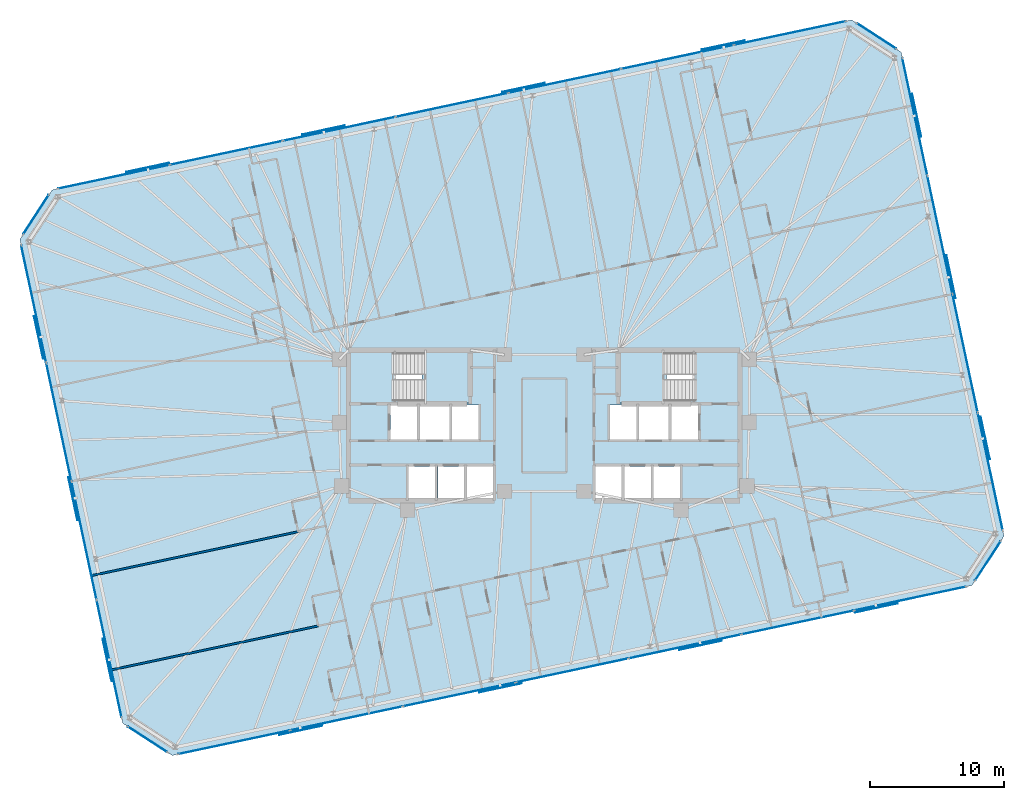
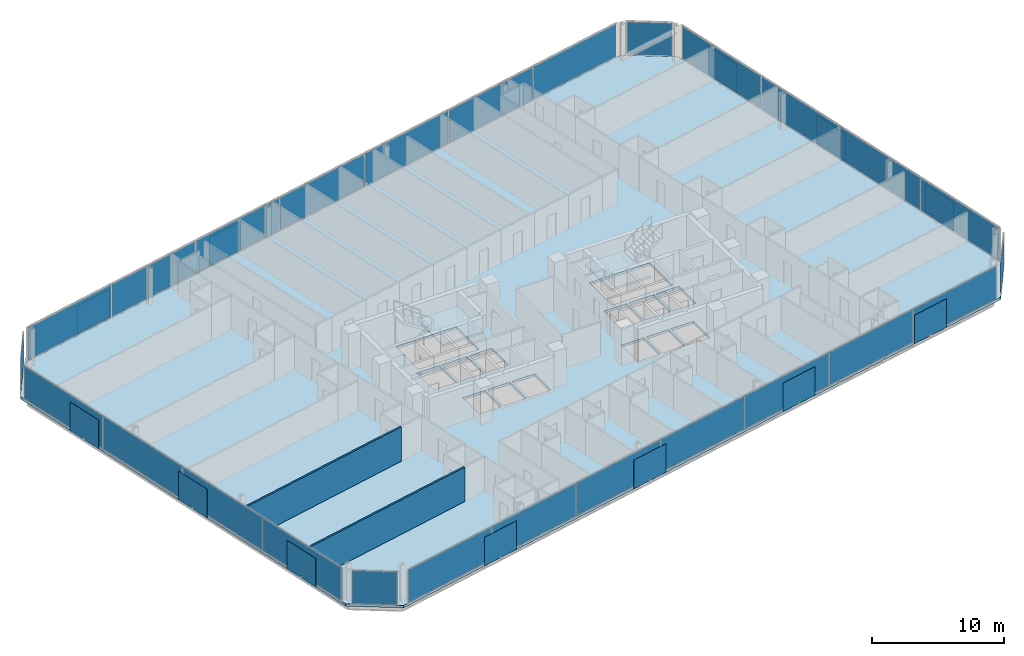
# One storey, part 13 of 21: 40 plates, 3 slabs, 2 walls, 10 elements without a shape of their own.
"""IFC4 building model written with IfcOpenShell, lengths in metres."""

from ifc_helpers import new_model, si_unit, direction, frame, frame_2d, origin, origin_2d, place, context, subcontext, project, spatial, polyline, rectangle, outline, extrude, material, layer, layer_set, type_object, element, aggregate, save


model = new_model("IFC4")

# Units and contexts
model_context = context("Model", 3, precision=1e-05, world=origin(), true_north=direction((0.0, 1.0)))
body_context = subcontext(model_context, "Body", "Model", "MODEL_VIEW")
ifc_project = project(units=[si_unit("LENGTHUNIT", "METRE"), si_unit("AREAUNIT", "SQUARE_METRE"), si_unit("VOLUMEUNIT", "CUBIC_METRE"), si_unit("PLANEANGLEUNIT", "RADIAN"), si_unit("MASSUNIT", "GRAM", prefix="KILO")], contexts=[model_context])

# Site, building, storey
site_placement = place(None, origin())
site = spatial("IfcSite", under=ifc_project, at=site_placement, CompositionType="ELEMENT")
building_placement = place(site_placement, origin())
building = spatial("IfcBuilding", under=site, at=building_placement, Name="Menara Jurai Vektor", CompositionType="ELEMENT")
storey_placement = place(building_placement, frame((0.0, 0.0, 168.39990234375)))
storey = spatial("IfcBuildingStorey", under=building, at=storey_placement, Name="L43", CompositionType="ELEMENT", Elevation=168.39990234375)

# Curtain wall, plates
ifc_material_1 = material(Name="Anodised Pale Aluminium & Low-E Double Glazing", Category="aluminium")
curtain_wall_type = type_object("IfcCurtainWallType", Name="CW-BLK3", PredefinedType="NOTDEFINED", material=ifc_material_1)
curtain_wall_1_placement = place(storey_placement, origin())
curtain_wall_1 = element("IfcCurtainWall", 1, at=curtain_wall_1_placement, inside=storey, type_object=curtain_wall_type, Name="Unitised Curtain Wall L43 F01", PredefinedType="NOTDEFINED")
ifc_material_2 = material(Name="Low-E Solar-Control Double Glazed Unit", Category="glass")
ifc_layer_1 = layer(ifc_material_2, 0.031982421875)
ifc_layer_set_1 = layer_set([ifc_layer_1], Name="Low-E Solar-Control Double Glazed Unit")
plate_type_1 = type_object("IfcPlateType", Name="CW-BLK3-PNL", PredefinedType="CURTAIN_PANEL", material=ifc_layer_set_1)
plate_1_placement = place(storey_placement, frame((-23.078369140625, -23.57568359375, 0.085205078125), z_axis=(0.0, 0.0, 1.0), x_axis=(0.978147674419, 0.207911344156, 0.0)))
plate_1 = element("IfcPlate", 2, at=plate_1_placement, type_object=plate_type_1, Name="CW-03 panel 1.1", PredefinedType="CURTAIN_PANEL", context=body_context, shape_type="SweptSolid", body=[
    extrude(rectangle(XDim=8.44970703125, YDim=0.031982421875, at=origin_2d()), origin(), (0.0, 0.0, 1.0), 3.0048828125),
])
plate_2_placement = place(storey_placement, frame((-14.709228515625, -21.796875, 0.085205078125), z_axis=(0.0, 0.0, 1.0), x_axis=(0.978147674419, 0.207911344156, 0.0)))
plate_2 = element("IfcPlate", 3, at=plate_2_placement, type_object=plate_type_1, Name="CW-03 panel 2.1", PredefinedType="CURTAIN_PANEL", context=body_context, shape_type="SweptSolid", body=[
    extrude(rectangle(XDim=8.4921875, YDim=0.031982421875, at=origin_2d()), origin(), (0.0, 0.0, 1.0), 3.0048828125),
])
plate_3_placement = place(storey_placement, frame((-6.319580078125, -20.013427734375, 0.085205078125), z_axis=(0.0, 0.0, 1.0), x_axis=(0.978147674419, 0.207911344156, 0.0)))
plate_3 = element("IfcPlate", 4, at=plate_3_placement, type_object=plate_type_1, Name="CW-03 panel 3.1", PredefinedType="CURTAIN_PANEL", context=body_context, shape_type="SweptSolid", body=[
    extrude(rectangle(XDim=8.4921875, YDim=0.031982421875, at=origin_2d()), origin(), (0.0, 0.0, 1.0), 3.0048828125),
])
plate_4_placement = place(storey_placement, frame((2.070068359375, -18.230224609375, 0.085205078125), z_axis=(0.0, 0.0, 1.0), x_axis=(0.978147674419, 0.207911344156, 0.0)))
plate_4 = element("IfcPlate", 5, at=plate_4_placement, type_object=plate_type_1, Name="CW-03 panel 4.1", PredefinedType="CURTAIN_PANEL", context=body_context, shape_type="SweptSolid", body=[
    extrude(rectangle(XDim=8.4921875, YDim=0.031982421875, at=origin_2d()), origin(), (0.0, 0.0, 1.0), 3.0048828125),
])
plate_5_placement = place(storey_placement, frame((10.459716796875, -16.447021484375, 0.085205078125), z_axis=(0.0, 0.0, 1.0), x_axis=(0.978147674419, 0.207911344156, 0.0)))
plate_5 = element("IfcPlate", 6, at=plate_5_placement, type_object=plate_type_1, Name="CW-03 panel 5.1", PredefinedType="CURTAIN_PANEL", context=body_context, shape_type="SweptSolid", body=[
    extrude(rectangle(XDim=8.4921875, YDim=0.031982421875, at=origin_2d()), origin(), (0.0, 0.0, 1.0), 3.0048828125),
])
plate_6_placement = place(storey_placement, frame((18.849609375, -14.66357421875, 0.085205078125), z_axis=(0.0, 0.0, 1.0), x_axis=(0.978147674419, 0.207911344156, 0.0)))
plate_6 = element("IfcPlate", 7, at=plate_6_placement, type_object=plate_type_1, Name="CW-03 panel 6.1", PredefinedType="CURTAIN_PANEL", context=body_context, shape_type="SweptSolid", body=[
    extrude(rectangle(XDim=8.4921875, YDim=0.031982421875, at=origin_2d()), origin(), (0.0, 0.0, 1.0), 3.0048828125),
])
plate_7_placement = place(storey_placement, frame((27.218505859375, -12.884765625, 0.085205078125), z_axis=(0.0, 0.0, 1.0), x_axis=(0.978147674419, 0.207911344156, 0.0)))
plate_7 = element("IfcPlate", 8, at=plate_7_placement, type_object=plate_type_1, Name="CW-03 panel 7.1", PredefinedType="CURTAIN_PANEL", context=body_context, shape_type="SweptSolid", body=[
    extrude(rectangle(XDim=8.44970703125, YDim=0.031982421875, at=origin_2d()), origin(), (0.0, 0.0, 1.0), 3.0048828125),
])
aggregate(curtain_wall_1, [plate_1, plate_2, plate_3, plate_4, plate_5, plate_6, plate_7])

curtain_wall_2_placement = place(storey_placement, origin())
curtain_wall_2 = element("IfcCurtainWall", 9, at=curtain_wall_2_placement, inside=storey, type_object=curtain_wall_type, Name="Unitised Curtain Wall L43 F03", PredefinedType="NOTDEFINED")
plate_8_placement = place(storey_placement, frame((33.17333984375, -3.433837890625, 0.085205078125), z_axis=(0.0, 0.0, 1.0), x_axis=(-0.20791035839, 0.978147883949, 0.0)))
plate_8 = element("IfcPlate", 10, at=plate_8_placement, type_object=plate_type_1, Name="CW-03 panel 1.1", PredefinedType="CURTAIN_PANEL", context=body_context, shape_type="SweptSolid", body=[
    extrude(rectangle(XDim=8.882568359375, YDim=0.031982421875, at=origin_2d()), origin(), (0.0, 0.0, 1.0), 3.0048828125),
])
plate_9_placement = place(storey_placement, frame((31.3046875, 5.3583984375, 0.085205078125), z_axis=(0.0, 0.0, 1.0), x_axis=(-0.20791035839, 0.978147883949, 0.0)))
plate_9 = element("IfcPlate", 11, at=plate_9_placement, type_object=plate_type_1, Name="CW-03 panel 2.1", PredefinedType="CURTAIN_PANEL", context=body_context, shape_type="SweptSolid", body=[
    extrude(rectangle(XDim=8.925048828125, YDim=0.031982421875, at=origin_2d()), origin(), (0.0, 0.0, 1.0), 3.0048828125),
])
plate_10_placement = place(storey_placement, frame((29.431396484375, 14.171630859375, 0.085205078125), z_axis=(0.0, 0.0, 1.0), x_axis=(-0.20791035839, 0.978147883949, 0.0)))
plate_10 = element("IfcPlate", 12, at=plate_10_placement, type_object=plate_type_1, Name="CW-03 panel 3.1", PredefinedType="CURTAIN_PANEL", context=body_context, shape_type="SweptSolid", body=[
    extrude(rectangle(XDim=8.925048828125, YDim=0.031982421875, at=origin_2d()), origin(), (0.0, 0.0, 1.0), 3.0048828125),
])
plate_11_placement = place(storey_placement, frame((27.5625, 22.9638671875, 0.085205078125), z_axis=(0.0, 0.0, 1.0), x_axis=(-0.20791035839, 0.978147883949, 0.0)))
plate_11 = element("IfcPlate", 13, at=plate_11_placement, type_object=plate_type_1, Name="CW-03 panel 4.1", PredefinedType="CURTAIN_PANEL", context=body_context, shape_type="SweptSolid", body=[
    extrude(rectangle(XDim=8.882568359375, YDim=0.031982421875, at=origin_2d()), origin(), (0.0, 0.0, 1.0), 3.0048828125),
])
aggregate(curtain_wall_2, [plate_8, plate_9, plate_10, plate_11])

curtain_wall_3_placement = place(storey_placement, origin())
curtain_wall_3 = element("IfcCurtainWall", 14, at=curtain_wall_3_placement, inside=storey, type_object=curtain_wall_type, Name="Unitised Curtain Wall L43 F05", PredefinedType="NOTDEFINED")
plate_12_placement = place(storey_placement, frame((18.2783203125, 29.175537109375, 0.085205078125), z_axis=(0.0, 0.0, 1.0), x_axis=(-0.978147674419, -0.207911344156, 0.0)))
plate_12 = element("IfcPlate", 15, at=plate_12_placement, type_object=plate_type_1, Name="CW-03 panel 1.1", PredefinedType="CURTAIN_PANEL", context=body_context, shape_type="SweptSolid", body=[
    extrude(rectangle(XDim=8.44970703125, YDim=0.031982421875, at=origin_2d()), origin(), (0.0, 0.0, 1.0), 3.0048828125),
])
plate_13_placement = place(storey_placement, frame((9.909423828125, 27.396728515625, 0.085205078125), z_axis=(0.0, 0.0, 1.0), x_axis=(-0.978147674419, -0.207911344156, 0.0)))
plate_13 = element("IfcPlate", 16, at=plate_13_placement, type_object=plate_type_1, Name="CW-03 panel 2.1", PredefinedType="CURTAIN_PANEL", context=body_context, shape_type="SweptSolid", body=[
    extrude(rectangle(XDim=8.4921875, YDim=0.031982421875, at=origin_2d()), origin(), (0.0, 0.0, 1.0), 3.0048828125),
])
plate_14_placement = place(storey_placement, frame((1.51953125, 25.613525390625, 0.085205078125), z_axis=(0.0, 0.0, 1.0), x_axis=(-0.978147674419, -0.207911344156, 0.0)))
plate_14 = element("IfcPlate", 17, at=plate_14_placement, type_object=plate_type_1, Name="CW-03 panel 3.1", PredefinedType="CURTAIN_PANEL", context=body_context, shape_type="SweptSolid", body=[
    extrude(rectangle(XDim=8.4921875, YDim=0.031982421875, at=origin_2d()), origin(), (0.0, 0.0, 1.0), 3.0048828125),
])
plate_15_placement = place(storey_placement, frame((-6.8701171875, 23.830078125, 0.085205078125), z_axis=(0.0, 0.0, 1.0), x_axis=(-0.978147674419, -0.207911344156, 0.0)))
plate_15 = element("IfcPlate", 18, at=plate_15_placement, type_object=plate_type_1, Name="CW-03 panel 4.1", PredefinedType="CURTAIN_PANEL", context=body_context, shape_type="SweptSolid", body=[
    extrude(rectangle(XDim=8.4921875, YDim=0.031982421875, at=origin_2d()), origin(), (0.0, 0.0, 1.0), 3.0048828125),
])
plate_16_placement = place(storey_placement, frame((-15.259765625, 22.046875, 0.085205078125), z_axis=(0.0, 0.0, 1.0), x_axis=(-0.978147674419, -0.207911344156, 0.0)))
plate_16 = element("IfcPlate", 19, at=plate_16_placement, type_object=plate_type_1, Name="CW-03 panel 5.1", PredefinedType="CURTAIN_PANEL", context=body_context, shape_type="SweptSolid", body=[
    extrude(rectangle(XDim=8.4921875, YDim=0.031982421875, at=origin_2d()), origin(), (0.0, 0.0, 1.0), 3.0048828125),
])
plate_17_placement = place(storey_placement, frame((-23.6494140625, 20.263671875, 0.085205078125), z_axis=(0.0, 0.0, 1.0), x_axis=(-0.978147674419, -0.207911344156, 0.0)))
plate_17 = element("IfcPlate", 20, at=plate_17_placement, type_object=plate_type_1, Name="CW-03 panel 6.1", PredefinedType="CURTAIN_PANEL", context=body_context, shape_type="SweptSolid", body=[
    extrude(rectangle(XDim=8.4921875, YDim=0.031982421875, at=origin_2d()), origin(), (0.0, 0.0, 1.0), 3.0048828125),
])
plate_18_placement = place(storey_placement, frame((-32.0185546875, 18.48486328125, 0.085205078125), z_axis=(0.0, 0.0, 1.0), x_axis=(-0.978147674419, -0.207911344156, 0.0)))
plate_18 = element("IfcPlate", 21, at=plate_18_placement, type_object=plate_type_1, Name="CW-03 panel 7.1", PredefinedType="CURTAIN_PANEL", context=body_context, shape_type="SweptSolid", body=[
    extrude(rectangle(XDim=8.44970703125, YDim=0.031982421875, at=origin_2d()), origin(), (0.0, 0.0, 1.0), 3.0048828125),
])
aggregate(curtain_wall_3, [plate_12, plate_13, plate_14, plate_15, plate_16, plate_17, plate_18])

curtain_wall_4_placement = place(storey_placement, origin())
curtain_wall_4 = element("IfcCurtainWall", 22, at=curtain_wall_4_placement, inside=storey, type_object=curtain_wall_type, Name="Unitised Curtain Wall L43 F07", PredefinedType="NOTDEFINED")
plate_19_placement = place(storey_placement, frame((-37.973388671875, 9.033935546875, 0.085205078125), z_axis=(0.0, 0.0, 1.0), x_axis=(0.20791035839, -0.978147883949, 0.0)))
plate_19 = element("IfcPlate", 23, at=plate_19_placement, type_object=plate_type_1, Name="CW-03 panel 1.1", PredefinedType="CURTAIN_PANEL", context=body_context, shape_type="SweptSolid", body=[
    extrude(rectangle(XDim=8.882568359375, YDim=0.031982421875, at=origin_2d()), origin(), (0.0, 0.0, 1.0), 3.0048828125),
])
plate_20_placement = place(storey_placement, frame((-36.1044921875, 0.241455078125, 0.085205078125), z_axis=(0.0, 0.0, 1.0), x_axis=(0.20791035839, -0.978147883949, 0.0)))
plate_20 = element("IfcPlate", 24, at=plate_20_placement, type_object=plate_type_1, Name="CW-03 panel 2.1", PredefinedType="CURTAIN_PANEL", context=body_context, shape_type="SweptSolid", body=[
    extrude(rectangle(XDim=8.925048828125, YDim=0.031982421875, at=origin_2d()), origin(), (0.0, 0.0, 1.0), 3.0048828125),
])
plate_21_placement = place(storey_placement, frame((-34.231201171875, -8.571533203125, 0.085205078125), z_axis=(0.0, 0.0, 1.0), x_axis=(0.20791035839, -0.978147883949, 0.0)))
plate_21 = element("IfcPlate", 25, at=plate_21_placement, type_object=plate_type_1, Name="CW-03 panel 3.1", PredefinedType="CURTAIN_PANEL", context=body_context, shape_type="SweptSolid", body=[
    extrude(rectangle(XDim=8.925048828125, YDim=0.031982421875, at=origin_2d()), origin(), (0.0, 0.0, 1.0), 3.0048828125),
])
plate_22_placement = place(storey_placement, frame((-32.362548828125, -17.364013671875, 0.085205078125), z_axis=(0.0, 0.0, 1.0), x_axis=(0.20791035839, -0.978147883949, 0.0)))
plate_22 = element("IfcPlate", 26, at=plate_22_placement, type_object=plate_type_1, Name="CW-03 panel 4.1", PredefinedType="CURTAIN_PANEL", context=body_context, shape_type="SweptSolid", body=[
    extrude(rectangle(XDim=8.882568359375, YDim=0.031982421875, at=origin_2d()), origin(), (0.0, 0.0, 1.0), 3.0048828125),
])
aggregate(curtain_wall_4, [plate_19, plate_20, plate_21, plate_22])

# Curtain wall, plate
curtain_wall_5_placement = place(storey_placement, origin())
curtain_wall_5 = element("IfcCurtainWall", 27, at=curtain_wall_5_placement, inside=storey, type_object=curtain_wall_type, Name="Unitised Curtain Wall L43 F02", PredefinedType="NOTDEFINED")
ifc_material_3 = material(Name="Insulated Pale Aluminium Spandrel Panel", Category="aluminium")
ifc_layer_2 = layer(ifc_material_3, 0.06005859375)
ifc_layer_set_2 = layer_set([ifc_layer_2], Name="Insulated Pale Aluminium Spandrel Panel")
plate_type_2 = type_object("IfcPlateType", Name="CW-PNL-SP", PredefinedType="CURTAIN_PANEL", material=ifc_layer_set_2)
plate_23_placement = place(storey_placement, frame((32.999755859375, -10.0712890625, 0.085205078125), z_axis=(0.0, 0.0, 1.0), x_axis=(0.544617794346, 0.838684361415, 0.0)))
plate_23 = element("IfcPlate", 28, at=plate_23_placement, type_object=plate_type_2, Name="CW-03 panel 1.1", PredefinedType="CURTAIN_PANEL", context=body_context, shape_type="SweptSolid", body=[
    extrude(rectangle(XDim=3.4541015625, YDim=0.06005859375, at=origin_2d()), origin(), (0.0, 0.0, 1.0), 3.0048828125),
])
aggregate(curtain_wall_5, [plate_23])

curtain_wall_6_placement = place(storey_placement, origin())
curtain_wall_6 = element("IfcCurtainWall", 29, at=curtain_wall_6_placement, inside=storey, type_object=curtain_wall_type, Name="Unitised Curtain Wall L43 F04", PredefinedType="NOTDEFINED")
plate_24_placement = place(storey_placement, frame((24.7041015625, 28.956787109375, 0.085205078125), z_axis=(0.0, 0.0, 1.0), x_axis=(-0.838684361415, 0.544617794346, 0.0)))
plate_24 = element("IfcPlate", 30, at=plate_24_placement, type_object=plate_type_2, Name="CW-03 panel 1.1", PredefinedType="CURTAIN_PANEL", context=body_context, shape_type="SweptSolid", body=[
    extrude(rectangle(XDim=3.4541015625, YDim=0.06005859375, at=origin_2d()), origin(), (0.0, 0.0, 1.0), 3.0048828125),
])
aggregate(curtain_wall_6, [plate_24])

curtain_wall_7_placement = place(storey_placement, origin())
curtain_wall_7 = element("IfcCurtainWall", 31, at=curtain_wall_7_placement, inside=storey, type_object=curtain_wall_type, Name="Unitised Curtain Wall L43 F06", PredefinedType="NOTDEFINED")
plate_25_placement = place(storey_placement, frame((-37.799560546875, 15.67138671875, 0.085205078125), z_axis=(0.0, 0.0, 1.0), x_axis=(-0.544617794346, -0.838684361415, 0.0)))
plate_25 = element("IfcPlate", 32, at=plate_25_placement, type_object=plate_type_2, Name="CW-03 panel 1.1", PredefinedType="CURTAIN_PANEL", context=body_context, shape_type="SweptSolid", body=[
    extrude(rectangle(XDim=3.4541015625, YDim=0.06005859375, at=origin_2d()), origin(), (0.0, 0.0, 1.0), 3.0048828125),
])
aggregate(curtain_wall_7, [plate_25])

curtain_wall_8_placement = place(storey_placement, origin())
curtain_wall_8 = element("IfcCurtainWall", 33, at=curtain_wall_8_placement, inside=storey, type_object=curtain_wall_type, Name="Unitised Curtain Wall L43 F08", PredefinedType="NOTDEFINED")
plate_26_placement = place(storey_placement, frame((-29.50390625, -23.35693359375, 0.085205078125), z_axis=(0.0, 0.0, 1.0), x_axis=(0.838684361415, -0.544617794346, 0.0)))
plate_26 = element("IfcPlate", 34, at=plate_26_placement, type_object=plate_type_2, Name="CW-03 panel 1.1", PredefinedType="CURTAIN_PANEL", context=body_context, shape_type="SweptSolid", body=[
    extrude(rectangle(XDim=3.4541015625, YDim=0.06005859375, at=origin_2d()), origin(), (0.0, 0.0, 1.0), 3.0048828125),
])
aggregate(curtain_wall_8, [plate_26])

# Plates
ifc_material_4 = material(Name="Anodised Pale Aluminium Perforated Screen", Category="aluminium")
ifc_layer_3 = layer(ifc_material_4, 0.02294921875)
ifc_layer_set_3 = layer_set([ifc_layer_3], Name="Anodised Pale Aluminium Perforated Screen")
plate_type_3 = type_object("IfcPlateType", Name="ENV-PLT-SCREEN-MID", PredefinedType="USERDEFINED", material=ifc_layer_set_3)
for number, where, z_axis, x_axis, name in (
    (35, (-18.116943359375, -22.6845703125, -0.0498046875), (0.0, 0.0, 1.0), (0.978147600734, 0.207911690818, 0.0), "Perforated Pale-Metal Solar Screen L43-S01"),
    (36, (-3.2490234375, -19.5244140625, -0.0498046875), (0.0, 0.0, 1.0), (0.978147600734, 0.207911690818, 0.0), "Perforated Pale-Metal Solar Screen L43-S02"),
    (37, (11.618896484375, -16.364013671875, -0.0498046875), (0.0, 0.0, 1.0), (0.978147600734, 0.207911690818, 0.0), "Perforated Pale-Metal Solar Screen L43-S03"),
    (38, (24.702392578125, -13.5830078125, -0.0498046875), (0.0, 0.0, 1.0), (0.978147600734, 0.207911690818, 0.0), "Perforated Pale-Metal Solar Screen L43-S04"),
    (39, (32.806884765625, -0.9404296875, -0.0498046875), (0.0, 0.0, 1.0), (-0.207911690818, 0.978147600734, 0.0), "Perforated Pale-Metal Solar Screen L43-S05"),
    (40, (30.256591796875, 11.05810546875, -0.0498046875), (0.0, 0.0, 1.0), (-0.207911690818, 0.978147600734, 0.0), "Perforated Pale-Metal Solar Screen L43-S06"),
    (41, (27.706298828125, 23.056884765625, -0.0498046875), (0.0, 0.0, 1.0), (-0.207911690818, 0.978147600734, 0.0), "Perforated Pale-Metal Solar Screen L43-S07"),
    (42, (13.31689453125, 28.28466796875, -0.0498046875), (0.0, 0.0, 1.0), (-0.978147600734, -0.207911690818, 0.0), "Perforated Pale-Metal Solar Screen L43-S08"),
    (43, (-1.55078125, 25.12451171875, -0.0498046875), (0.0, 0.0, 1.0), (-0.978147600734, -0.207911690818, 0.0), "Perforated Pale-Metal Solar Screen L43-S09"),
    (44, (-16.418701171875, 21.964111328125, -0.0498046875), (0.0, 0.0, 1.0), (-0.978147600734, -0.207911690818, 0.0), "Perforated Pale-Metal Solar Screen L43-S10"),
    (45, (-29.50244140625, 19.18310546875, -0.0498046875), (0.0, 0.0, 1.0), (-0.978147600734, -0.207911690818, 0.0), "Perforated Pale-Metal Solar Screen L43-S11"),
    (46, (-37.60693359375, 6.54052734375, -0.0498046875), (0.0, 0.0, 1.0), (0.207911690818, -0.978147600734, 0.0), "Perforated Pale-Metal Solar Screen L43-S12"),
    (47, (-35.056640625, -5.458251953125, -0.0498046875), (0.0, 0.0, 1.0), (0.207911690818, -0.978147600734, 0.0), "Perforated Pale-Metal Solar Screen L43-S13"),
    (48, (-32.50634765625, -17.456787109375, -0.0498046875), (0.0, 0.0, 1.0), (0.207911690818, -0.978147600734, 0.0), "Perforated Pale-Metal Solar Screen L43-S14"),
):
    element("IfcPlate", number, at=place(storey_placement, frame(where, z_axis=z_axis, x_axis=x_axis)), inside=storey, type_object=plate_type_3, Name=name, ObjectType="SCREEN", PredefinedType="USERDEFINED", context=body_context, shape_type="SweptSolid", body=[
        extrude(rectangle(XDim=3.25, YDim=0.02294921875, at=origin_2d()), origin(), (0.0, 0.0, 1.0), 2.64990234375),
    ])

# Stair, slab
ifc_material_5 = material(Name="Concrete C40/50", Category="concrete")
stair_type = type_object("IfcStairType", Name="STAIR-DOGLEG-1500", PredefinedType="HALF_TURN_STAIR", material=ifc_material_5)
stair_1_placement = place(storey_placement, origin())
stair_1 = element("IfcStair", 49, at=stair_1_placement, inside=storey, type_object=stair_type, Name="Protected Exit Stair ST1 L43", PredefinedType="HALF_TURN_STAIR")
ifc_layer_4 = layer(ifc_material_5, 0.199951171875)
ifc_layer_set_4 = layer_set([ifc_layer_4], Name="Concrete C40/50")
slab_type_1 = type_object("IfcSlabType", Name="STAIR-LANDING-200", PredefinedType="LANDING", material=ifc_layer_set_4)
slab_1_placement = place(storey_placement, frame((0.0, 0.0, 1.5)))
slab_1 = element("IfcSlab", 50, at=slab_1_placement, type_object=slab_type_1, Name="ST1 landing 1", PredefinedType="LANDING", context=body_context, shape_type="SweptSolid", body=[
    extrude(outline(polyline([(-9.080078125, 1.64990234375), (-5.550048828125, 1.64990234375), (-5.550048828125, 5.550048828125), (-9.080078125, 5.550048828125), (-9.080078125, 1.64990234375)])), origin(), (0.0, 0.0, 1.0), 0.2001953125),
])
aggregate(stair_1, [slab_1])

stair_2_placement = place(storey_placement, origin())
stair_2 = element("IfcStair", 51, at=stair_2_placement, inside=storey, type_object=stair_type, Name="Protected Exit Stair ST2 L43", PredefinedType="HALF_TURN_STAIR")
slab_2_placement = place(storey_placement, frame((0.0, 0.0, 1.5)))
slab_2 = element("IfcSlab", 52, at=slab_2_placement, type_object=slab_type_1, Name="ST2 landing 1", PredefinedType="LANDING", context=body_context, shape_type="SweptSolid", body=[
    extrude(outline(polyline([(5.550048828125, 1.64990234375), (9.080078125, 1.64990234375), (9.080078125, 5.550048828125), (5.550048828125, 5.550048828125), (5.550048828125, 1.64990234375)])), origin(), (0.0, 0.0, 1.0), 0.2001953125),
])
aggregate(stair_2, [slab_2])

# Slab
ifc_layer_5 = layer(ifc_material_5, 0.22509765625)
ifc_layer_set_5 = layer_set([ifc_layer_5], Name="Concrete C40/50")
slab_type_2 = type_object("IfcSlabType", Name="STR-SLAB-TYP200", PredefinedType="FLOOR", material=ifc_layer_set_5)
slab_3_placement = place(storey_placement, frame((0.0, 0.0, -0.224853515625)))
element("IfcSlab", 53, at=slab_3_placement, inside=storey, type_object=slab_type_2, Name="Composite Floor Slab L43", PredefinedType="FLOOR", context=body_context, shape_type="SweptSolid", body=[
    extrude(outline(polyline([(-27.66552734375, -24.55078125), (31.805908203125, -11.90966796875), (34.193603515625, -8.23291015625), (26.54248046875, 27.762939453125), (22.865478515625, 30.150634765625), (-36.605712890625, 17.509765625), (-38.993408203125, 13.8330078125), (-31.34228515625, -22.1630859375), (-27.66552734375, -24.55078125)]), holes=[polyline([(-11.10009765625, 1.89990234375), (-11.10009765625, 5.300048828125), (-5.800048828125, 5.300048828125), (-5.800048828125, 1.89990234375), (-11.10009765625, 1.89990234375)]), polyline([(5.800048828125, 1.89990234375), (5.800048828125, 5.300048828125), (11.10009765625, 5.300048828125), (11.10009765625, 1.89990234375), (5.800048828125, 1.89990234375)]), polyline([(-11.449951171875, -1.050048828125), (-11.449951171875, 1.5), (-9.449951171875, 1.5), (-9.449951171875, -1.050048828125), (-11.449951171875, -1.050048828125)]), polyline([(9.449951171875, -1.050048828125), (9.449951171875, 1.5), (11.449951171875, 1.5), (11.449951171875, -1.050048828125), (9.449951171875, -1.050048828125)]), polyline([(-5.760009765625, -5.5), (-5.760009765625, -3.050048828125), (-3.800048828125, -3.050048828125), (-3.800048828125, -5.5), (-5.760009765625, -5.5)]), polyline([(-6.85009765625, -1.050048828125), (-6.85009765625, 1.5), (-4.889892578125, 1.5), (-4.889892578125, -1.050048828125), (-6.85009765625, -1.050048828125)]), polyline([(3.800048828125, -5.5), (3.800048828125, -3.050048828125), (5.760009765625, -3.050048828125), (5.760009765625, -5.5), (3.800048828125, -5.5)]), polyline([(4.889892578125, -1.050048828125), (4.889892578125, 1.5), (6.85009765625, 1.5), (6.85009765625, -1.050048828125), (4.889892578125, -1.050048828125)]), polyline([(-10.080078125, -5.5), (-10.080078125, -3.050048828125), (-8.1201171875, -3.050048828125), (-8.1201171875, -5.5), (-10.080078125, -5.5)]), polyline([(-7.919921875, -5.5), (-7.919921875, -3.050048828125), (-5.9599609375, -3.050048828125), (-5.9599609375, -5.5), (-7.919921875, -5.5)]), polyline([(5.9599609375, -5.5), (5.9599609375, -3.050048828125), (7.919921875, -3.050048828125), (7.919921875, -5.5), (5.9599609375, -5.5)]), polyline([(8.1201171875, -5.5), (8.1201171875, -3.050048828125), (10.080078125, -3.050048828125), (10.080078125, -5.5), (8.1201171875, -5.5)]), polyline([(-9.25, -1.050048828125), (-9.25, 1.5), (-7.050048828125, 1.5), (-7.050048828125, -1.050048828125), (-9.25, -1.050048828125)]), polyline([(7.050048828125, -1.050048828125), (7.050048828125, 1.5), (9.25, 1.5), (9.25, -1.050048828125), (7.050048828125, -1.050048828125)])]), origin(), (0.0, 0.0, 1.0), 0.224853515625),
])

# Walls
ifc_material_6 = material(Name="Gypsum Fireboard Partition", Category="gypsum")
ifc_layer_6 = layer(ifc_material_6, 0.14990234375)
ifc_layer_set_6 = layer_set([ifc_layer_6], Name="Gypsum Fireboard Partition")
wall_type = type_object("IfcWallType", Name="INT-WALL-CORR-150", PredefinedType="PARTITIONING", material=ifc_layer_set_6)
for number, where, z_axis, x_axis, name in (
    (54, (-32.18798828125, -18.184814453125, 0.0), (0.0, 0.0, 1.0), (0.978149296727, 0.207903711638, 0.0), "Interior Wall IW-150 L43"),
    (55, (-33.677734375, -11.17529296875, 0.0), (0.0, 0.0, 1.0), (0.978149296727, 0.207903711638, 0.0), "Interior Wall IW-150 L43"),
):
    element("IfcWall", number, at=place(storey_placement, frame(where, z_axis=z_axis, x_axis=x_axis)), inside=storey, type_object=wall_type, Name=name, PredefinedType="PARTITIONING", context=body_context, shape_type="SweptSolid", body=[
        extrude(rectangle(XDim=15.718017578125, YDim=0.14990234375, at=frame_2d((7.85888671875, 0.0))), origin(), (0.0, 0.0, 1.0), 3.175048828125),
    ])

save(model, "model.ifc")
